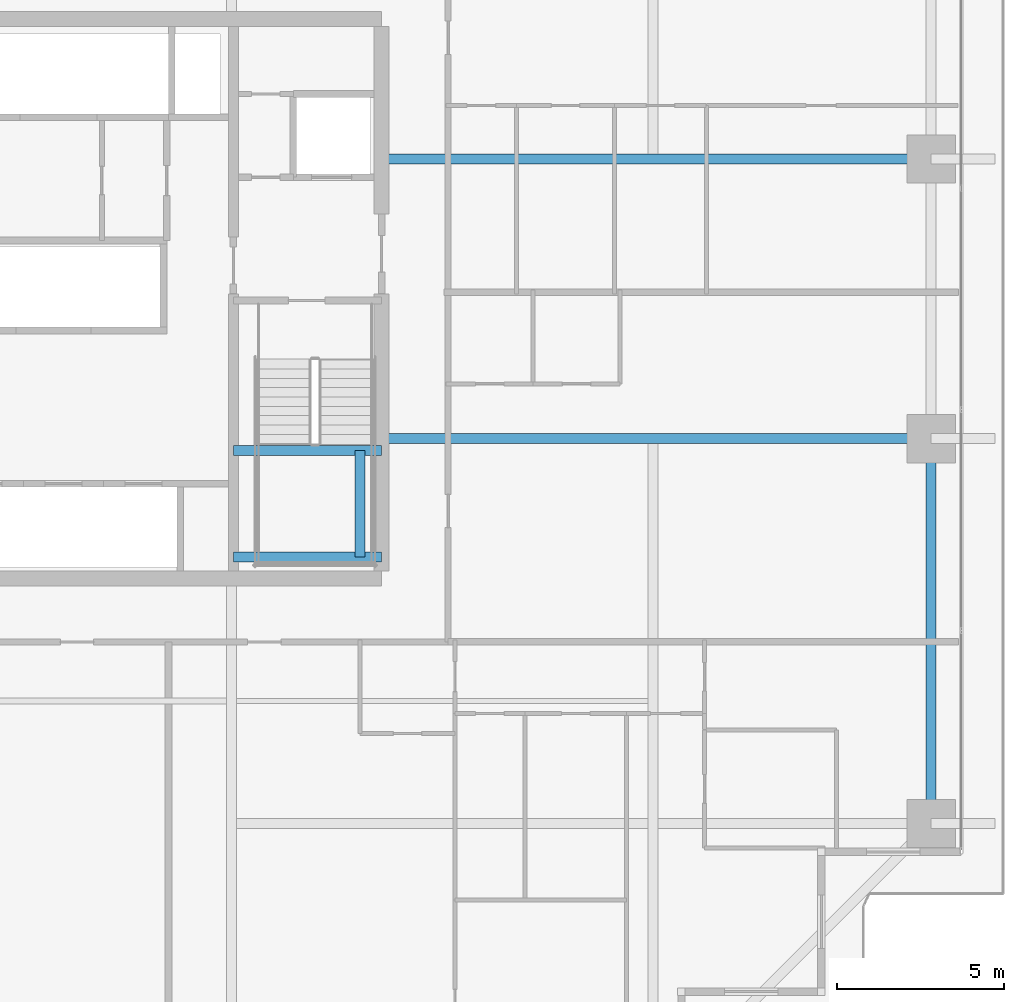
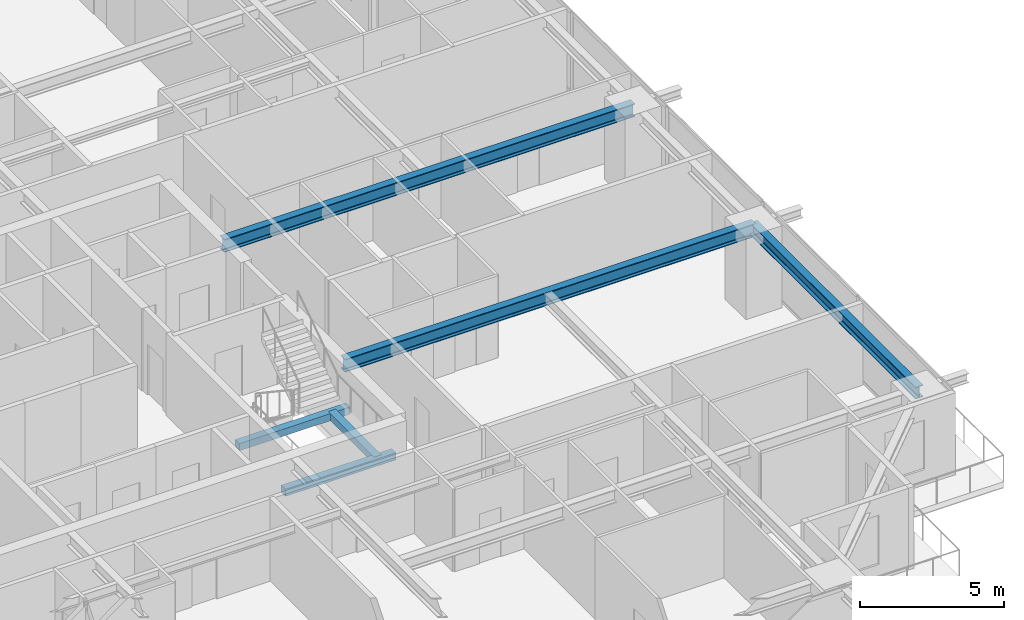
# One storey, part 13 of 34: 6 beams.
"""IFC4 building model written with IfcOpenShell, lengths in metres."""

from ifc_helpers import new_model, si_unit, direction, frame, origin, origin_2d, place, context, subcontext, project, spatial, rectangle, i_section, extrude, source, transform, mapped, material, material_profile, profile_set, type_object, element, save


model = new_model("IFC4")

# Units and contexts
model_context = context("Model", 3, precision=1e-05, world=origin(), true_north=direction((0.0, 1.0)))
body_context = subcontext(model_context, "Body", "Model", "MODEL_VIEW")
ifc_project = project(units=[si_unit("LENGTHUNIT", "METRE"), si_unit("AREAUNIT", "SQUARE_METRE"), si_unit("VOLUMEUNIT", "CUBIC_METRE"), si_unit("PLANEANGLEUNIT", "RADIAN"), si_unit("MASSUNIT", "GRAM", prefix="KILO")], contexts=[model_context])

# Site, building, storey
site_placement = place(None, origin())
site = spatial("IfcSite", under=ifc_project, at=site_placement, CompositionType="ELEMENT")
building_placement = place(site_placement, origin())
building = spatial("IfcBuilding", under=site, at=building_placement, Name="Serunith Strait Residences", CompositionType="ELEMENT")
storey_placement = place(building_placement, frame((0.0, 0.0, 101.699951171875)))
storey = spatial("IfcBuildingStorey", under=building, at=storey_placement, Name="L25", CompositionType="ELEMENT", Elevation=101.699951171875)

# Beams
ifc_material_1 = material(Name="Steel S355J2", Category="steel")
ifc_material_profile_1 = material_profile(ifc_material_1, i_section(OverallWidth=0.300048828125, OverallDepth=0.550048828125, WebThickness=0.014892578125, FlangeThickness=0.029052734375, FilletRadius=0.027099609375, at=origin_2d()), Name="HEB 550")
ifc_profile_set_1 = profile_set([ifc_material_profile_1], Name="Steel S355J2")
beam_type_1 = type_object("IfcBeamType", Name="BM-HEB550", PredefinedType="BEAM", material=ifc_profile_set_1)
shared_shape_1 = source(origin(), body_context, "Body", "SweptSolid", [
    extrude(i_section(OverallWidth=0.300048828125, OverallDepth=0.550048828125, WebThickness=0.014892578125, FlangeThickness=0.029052734375, FilletRadius=0.027099609375, at=origin_2d()), origin(), (0.0, 0.0, 1.0), 16.5),
])
for number, where, z_axis, x_axis, name in (
    (1, (41.39990234375, 21.0, 3.212158203125), (1.0, 0.0, 0.0), (0.0, 1.0, 0.0), "L25 Primary Floor Girder TC-E2"),
    (2, (41.39990234375, 29.39990234375, 3.212158203125), (1.0, 0.0, 0.0), (0.0, 1.0, 0.0), "L25 Primary Floor Girder TC-E3"),
):
    element("IfcBeam", number, at=place(storey_placement, frame(where, z_axis=z_axis, x_axis=x_axis)), inside=storey, type_object=beam_type_1, Name=name, PredefinedType="BEAM", context=body_context, shape_type="MappedRepresentation", body=[
        mapped(shared_shape_1, transform((0.0, 0.0, 0.0), scale=1.0)),
    ])
ifc_material_profile_2 = material_profile(ifc_material_1, i_section(OverallWidth=0.300048828125, OverallDepth=0.5, WebThickness=0.014404296875, FlangeThickness=0.028076171875, FilletRadius=0.027099609375, at=origin_2d()), Name="HEB 500")
ifc_profile_set_2 = profile_set([ifc_material_profile_2], Name="Steel S355J2")
beam_type_2 = type_object("IfcBeamType", Name="BM-HEB500", PredefinedType="BEAM", material=ifc_profile_set_2)
shared_shape_2 = source(origin(), body_context, "Body", "SweptSolid", [
    extrude(i_section(OverallWidth=0.300048828125, OverallDepth=0.5, WebThickness=0.014404296875, FlangeThickness=0.028076171875, FilletRadius=0.027099609375, at=origin_2d()), origin(), (0.0, 0.0, 1.0), 11.550048828125),
])
beam_1_placement = place(storey_placement, frame((57.89990234375, 9.449951171875, 3.237060546875), z_axis=(0.0, 1.0, 0.0), x_axis=(-1.0, 0.0, 0.0)))
element("IfcBeam", 3, at=beam_1_placement, inside=storey, type_object=beam_type_2, Name="L25 Perimeter Ring Beam 05", PredefinedType="BEAM", context=body_context, shape_type="MappedRepresentation", body=[
    mapped(shared_shape_2, transform((0.0, 0.0, 0.0), scale=1.0)),
])
ifc_material_2 = material(Name="Concrete C60/75", Category="concrete")
ifc_material_profile_3 = material_profile(ifc_material_2, rectangle(XDim=0.300048828125, YDim=0.300048828125, at=origin_2d()), Name="RC 300x300")
ifc_profile_set_3 = profile_set([ifc_material_profile_3], Name="Concrete C60/75")
beam_type_3 = type_object("IfcBeamType", Name="BM-LAND-300x300", PredefinedType="BEAM", material=ifc_profile_set_3)
shared_shape_3 = source(origin(), body_context, "Body", "SweptSolid", [
    extrude(rectangle(XDim=0.300048828125, YDim=0.300048828125, at=origin_2d()), origin(), (0.0, 0.0, 1.0), 3.199951171875),
])
beam_2_placement = place(storey_placement, frame((40.75, 17.449951171875, 1.525146484375), z_axis=(0.0, 1.0, 0.0), x_axis=(-1.0, 0.0, 0.0)))
element("IfcBeam", 4, at=beam_2_placement, inside=storey, type_object=beam_type_3, Name="L25 ST-2 Landing Transverse Tie Beam", PredefinedType="BEAM", context=body_context, shape_type="MappedRepresentation", body=[
    mapped(shared_shape_3, transform((0.0, 0.0, 0.0), scale=1.0)),
])
shared_shape_4 = source(origin(), body_context, "Body", "SweptSolid", [
    extrude(rectangle(XDim=0.300048828125, YDim=0.300048828125, at=origin_2d()), origin(), (0.0, 0.0, 1.0), 4.449951171875),
])
for number, where, z_axis, x_axis, name in (
    (5, (36.949951171875, 17.449951171875, 1.525146484375), (1.0, 0.0, 0.0), (0.0, 1.0, 0.0), "L25 ST-2 Landing Support Beam 1"),
    (6, (36.949951171875, 20.64990234375, 1.525146484375), (1.0, 0.0, 0.0), (0.0, 1.0, 0.0), "L25 ST-2 Landing Support Beam 2"),
):
    element("IfcBeam", number, at=place(storey_placement, frame(where, z_axis=z_axis, x_axis=x_axis)), inside=storey, type_object=beam_type_3, Name=name, PredefinedType="BEAM", context=body_context, shape_type="MappedRepresentation", body=[
        mapped(shared_shape_4, transform((0.0, 0.0, 0.0), scale=1.0)),
    ])

save(model, "model.ifc")
